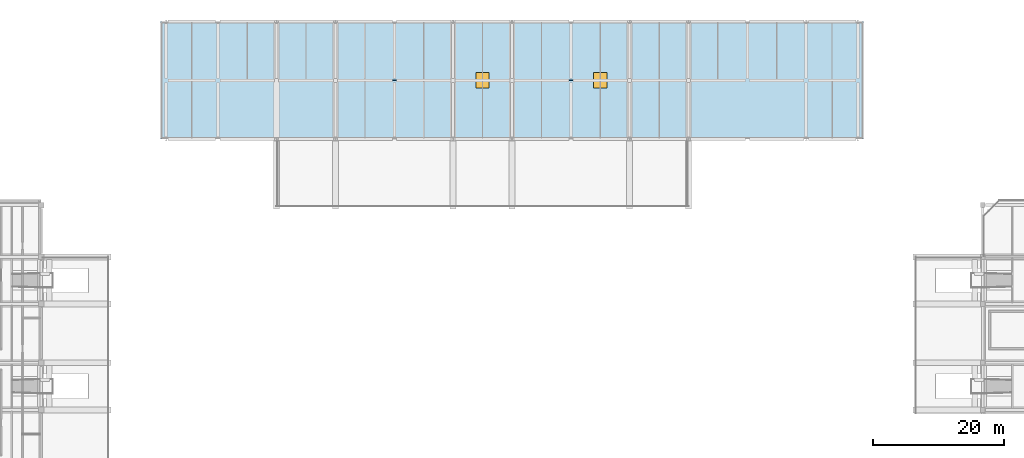
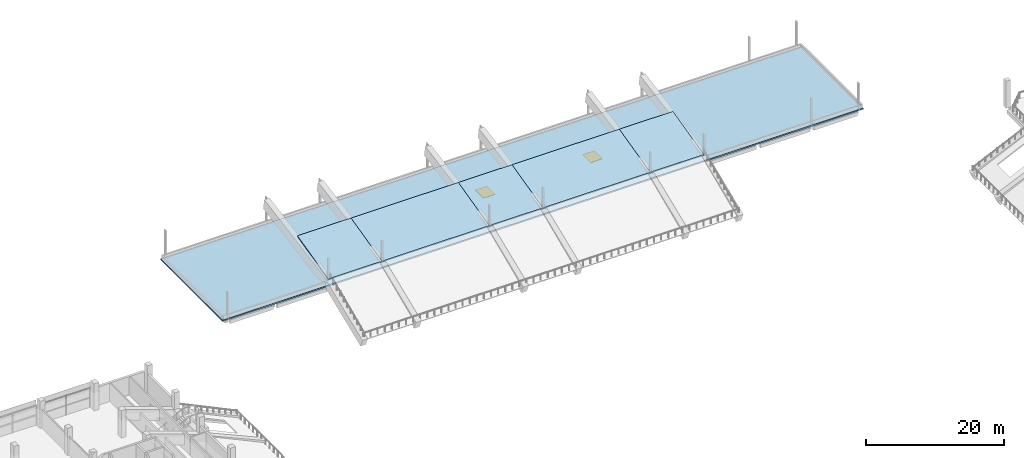
# One storey, part 45 of 66: 6 slabs, 2 windows, 2 openings.
"""IFC4 building model written with IfcOpenShell, lengths in metres."""

from ifc_helpers import new_model, si_unit, direction, frame, origin, origin_2d, place, context, subcontext, project, spatial, polyline, rectangle, outline, extrude, material, layer, layer_set, type_object, element, fill, save


model = new_model("IFC4")

# Units and contexts
model_context = context("Model", 3, precision=1e-05, world=origin(), true_north=direction((0.0, 1.0)))
body_context = subcontext(model_context, "Body", "Model", "MODEL_VIEW")
ifc_project = project(units=[si_unit("LENGTHUNIT", "METRE"), si_unit("AREAUNIT", "SQUARE_METRE"), si_unit("VOLUMEUNIT", "CUBIC_METRE"), si_unit("PLANEANGLEUNIT", "RADIAN"), si_unit("MASSUNIT", "GRAM", prefix="KILO"), si_unit("THERMODYNAMICTEMPERATUREUNIT", "KELVIN"), si_unit("POWERUNIT", "WATT")], contexts=[model_context])

# Site, building, storey
site_placement = place(None, origin())
site = spatial("IfcSite", under=ifc_project, at=site_placement, CompositionType="ELEMENT")
building_placement = place(site_placement, origin())
building = spatial("IfcBuilding", under=site, at=building_placement, Name="Sindhuravela Promenade Stadium", CompositionType="ELEMENT")
storey_placement = place(building_placement, frame((0.0, 0.0, 19.199951171875)))
storey = spatial("IfcBuildingStorey", under=building, at=storey_placement, Name="L04", CompositionType="ELEMENT", Elevation=19.199951171875)

# Slab, openings, windows
ifc_material_1 = material(Name="Concrete M40", Category="concrete")
ifc_layer_1 = layer(ifc_material_1, 0.2451171875)
ifc_layer_set_1 = layer_set([ifc_layer_1], Name="Concrete M40")
slab_type_1 = type_object("IfcSlabType", Name="SL-ROF-210", PredefinedType="ROOF", material=ifc_layer_set_1)
slab_1_placement = place(storey_placement, frame((0.0, 0.0, -0.244873046875)))
slab_1 = element("IfcSlab", 1, at=slab_1_placement, inside=storey, type_object=slab_type_1, Name="Main roof slab NORTH L04", PredefinedType="ROOF", context=body_context, shape_type="SweptSolid", body=[
    extrude(outline(polyline([(161.75, 153.0), (161.75, 135.0), (54.25, 135.0), (54.25, 153.0), (161.75, 153.0)])), origin(), (0.0, 0.0, 1.0), 0.244873046875),
])
opening_1_placement = place(slab_1_placement, frame((103.5, 144.0, -0.010009765625)))
opening_1 = element("IfcOpeningElement", 2, at=opening_1_placement, cuts=slab_1, Name="Opening SK02", PredefinedType="OPENING", context=body_context, shape_type="SweptSolid", body=[
    extrude(rectangle(XDim=2.0, YDim=2.39990234375, at=origin_2d()), origin(), (0.0, 0.0, 1.0), 0.264892578125),
])
opening_2_placement = place(slab_1_placement, frame((121.5, 144.0, -0.010009765625)))
opening_2 = element("IfcOpeningElement", 3, at=opening_2_placement, cuts=slab_1, Name="Opening SK02", PredefinedType="OPENING", context=body_context, shape_type="SweptSolid", body=[
    extrude(rectangle(XDim=2.0, YDim=2.39990234375, at=origin_2d()), origin(), (0.0, 0.0, 1.0), 0.264892578125),
])
ifc_material_2 = material(Name="Tempered laminated low-E glass", Category="glass")
window_type = type_object("IfcWindowType", Name="WN-SKY-2000x2400", PartitioningType="SINGLE_PANEL", PredefinedType="SKYLIGHT", material=ifc_material_2)
window_1_placement = place(slab_1_placement, frame((103.5, 144.0, 0.19482421875)))
window_1 = element("IfcWindow", 4, at=window_1_placement, inside=storey, type_object=window_type, Name="Concourse roof skylight SK02-05", OverallHeight=2.39990234375, OverallWidth=2.0, PartitioningType="SINGLE_PANEL", PredefinedType="SKYLIGHT", context=body_context, shape_type="SweptSolid", body=[
    extrude(rectangle(XDim=2.0, YDim=2.39990234375, at=origin_2d()), origin(), (0.0, 0.0, 1.0), 0.050048828125),
])
fill(opening_1, window_1)
window_2_placement = place(slab_1_placement, frame((121.5, 144.0, 0.19482421875)))
window_2 = element("IfcWindow", 5, at=window_2_placement, inside=storey, type_object=window_type, Name="Concourse roof skylight SK02-06", OverallHeight=2.39990234375, OverallWidth=2.0, PartitioningType="SINGLE_PANEL", PredefinedType="SKYLIGHT", context=body_context, shape_type="SweptSolid", body=[
    extrude(rectangle(XDim=2.0, YDim=2.39990234375, at=origin_2d()), origin(), (0.0, 0.0, 1.0), 0.050048828125),
])
fill(opening_2, window_2)

# Slabs
ifc_material_3 = material(Name="Precast concrete M50", Category="concrete")
ifc_layer_2 = layer(ifc_material_3, 0.159912109375)
ifc_layer_set_2 = layer_set([ifc_layer_2], Name="Precast concrete M50")
slab_type_2 = type_object("IfcSlabType", Name="SL-TR2-160", PredefinedType="USERDEFINED", material=ifc_layer_set_2)
slab_2_placement = place(storey_placement, frame((72.0, 135.0, 1.10009765625), z_axis=(0.0, -0.23744811744425076, 0.9714002221135124), x_axis=(1.0, 0.0, 0.0)))
element("IfcSlab", 6, at=slab_2_placement, inside=storey, type_object=slab_type_2, Name="Stand upper tier North rear bay 44", ObjectType="SEATING TIER", PredefinedType="USERDEFINED", context=body_context, shape_type="SweptSolid", body=[
    extrude(outline(polyline([(0.0, 0.0), (9.0, 0.0), (9.0, 9.264976263252603), (0.0, 9.264976263252603), (0.0, 0.0)])), origin(), (0.0, 0.0, -1.0), 0.159912109375),
])
slab_3_placement = place(storey_placement, frame((81.0, 135.0, 1.10009765625), z_axis=(0.0, -0.23744811744425076, 0.9714002221135124), x_axis=(1.0, 0.0, 0.0)))
element("IfcSlab", 7, at=slab_3_placement, inside=storey, type_object=slab_type_2, Name="Stand upper tier North rear bay 45", ObjectType="SEATING TIER", PredefinedType="USERDEFINED", context=body_context, shape_type="SweptSolid", body=[
    extrude(outline(polyline([(0.0, 0.0), (18.0, 0.0), (18.0, 9.264976263252603), (0.0, 9.264976263252603), (0.0, 0.0)])), origin(), (0.0, 0.0, -1.0), 0.159912109375),
])
slab_4_placement = place(storey_placement, frame((99.0, 135.0, 1.10009765625), z_axis=(0.0, -0.23744811744425076, 0.9714002221135124), x_axis=(1.0, 0.0, 0.0)))
element("IfcSlab", 8, at=slab_4_placement, inside=storey, type_object=slab_type_2, Name="Stand upper tier North rear bay 46", ObjectType="SEATING TIER", PredefinedType="USERDEFINED", context=body_context, shape_type="SweptSolid", body=[
    extrude(outline(polyline([(0.0, 0.0), (9.0, 0.0), (9.0, 9.264976263252603), (0.0, 9.264976263252603), (0.0, 0.0)])), origin(), (0.0, 0.0, -1.0), 0.159912109375),
])
slab_5_placement = place(storey_placement, frame((108.0, 135.0, 1.10009765625), z_axis=(0.0, -0.23744811744425076, 0.9714002221135124), x_axis=(1.0, 0.0, 0.0)))
element("IfcSlab", 9, at=slab_5_placement, inside=storey, type_object=slab_type_2, Name="Stand upper tier North rear bay 47", ObjectType="SEATING TIER", PredefinedType="USERDEFINED", context=body_context, shape_type="SweptSolid", body=[
    extrude(outline(polyline([(0.0, 0.0), (18.0, 0.0), (18.0, 9.264976263252603), (0.0, 9.264976263252603), (0.0, 0.0)])), origin(), (0.0, 0.0, -1.0), 0.159912109375),
])
slab_6_placement = place(storey_placement, frame((126.0, 135.0, 1.10009765625), z_axis=(0.0, -0.23744811744425076, 0.9714002221135124), x_axis=(1.0, 0.0, 0.0)))
element("IfcSlab", 10, at=slab_6_placement, inside=storey, type_object=slab_type_2, Name="Stand upper tier North rear bay 48", ObjectType="SEATING TIER", PredefinedType="USERDEFINED", context=body_context, shape_type="SweptSolid", body=[
    extrude(outline(polyline([(0.0, 0.0), (9.0, 0.0), (9.0, 9.264976263252603), (0.0, 9.264976263252603), (0.0, 0.0)])), origin(), (0.0, 0.0, -1.0), 0.159912109375),
])

save(model, "model.ifc")
